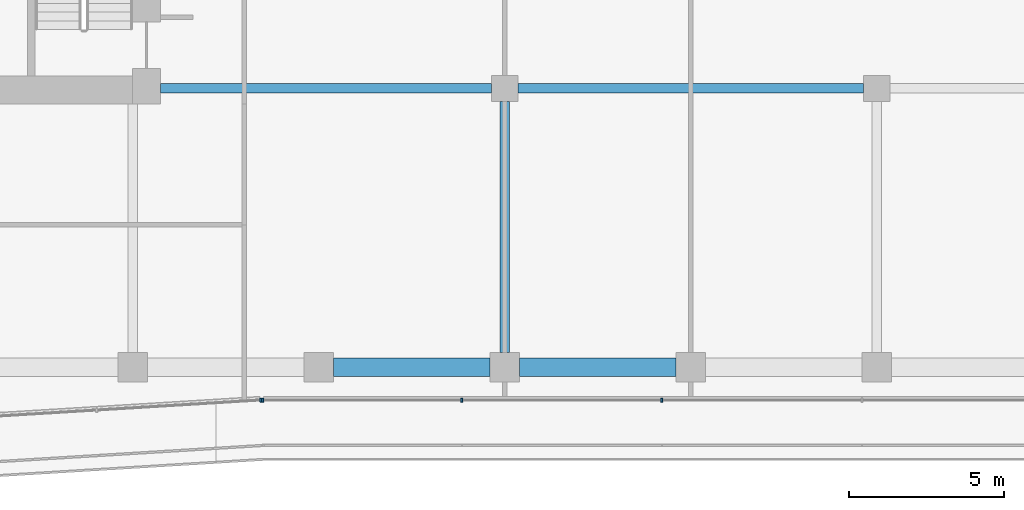
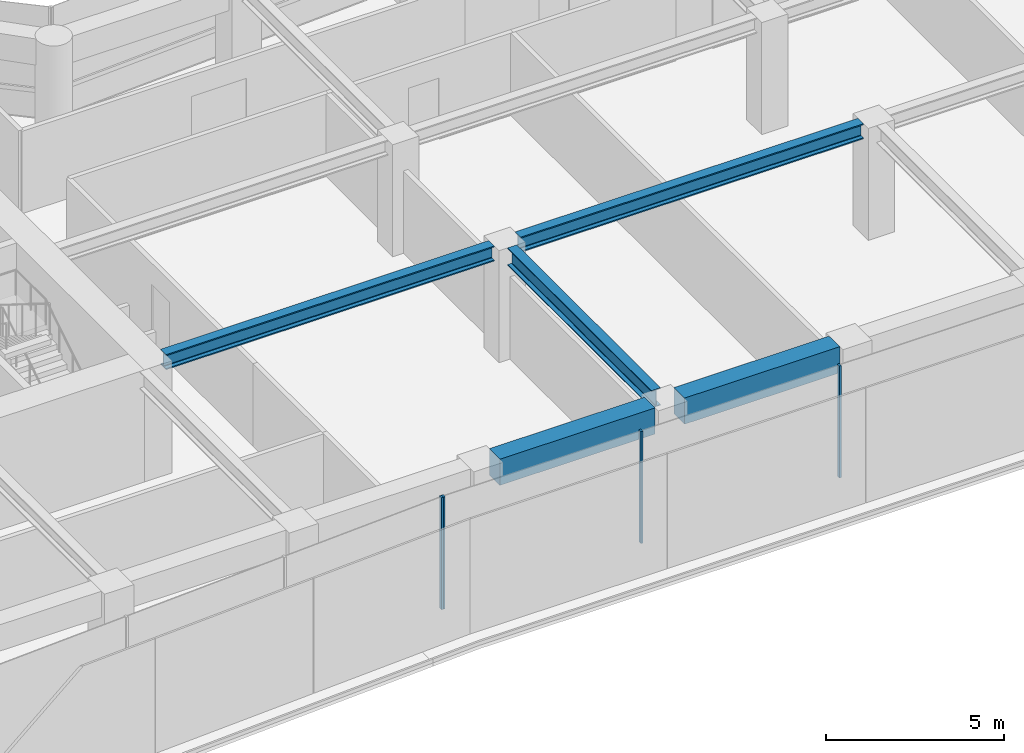
# One storey, part 6 of 29: 5 beams, 4 members, 2 elements without a shape of their own.
"""IFC4 building model written with IfcOpenShell, lengths in metres."""

from ifc_helpers import new_model, si_unit, direction, frame, origin, origin_2d, place, context, subcontext, project, spatial, rectangle, i_section, extrude, material, layer, layer_set, material_profile, profile_set, type_object, element, aggregate, save


model = new_model("IFC4")

# Units and contexts
model_context = context("Model", 3, precision=1e-05, world=origin(), true_north=direction((0.0, 1.0)))
body_context = subcontext(model_context, "Body", "Model", "MODEL_VIEW")
ifc_project = project(units=[si_unit("LENGTHUNIT", "METRE"), si_unit("AREAUNIT", "SQUARE_METRE"), si_unit("VOLUMEUNIT", "CUBIC_METRE"), si_unit("PLANEANGLEUNIT", "RADIAN"), si_unit("MASSUNIT", "GRAM", prefix="KILO")], contexts=[model_context])

# Site, building, storey
site_placement = place(None, origin())
site = spatial("IfcSite", under=ifc_project, at=site_placement, CompositionType="ELEMENT")
building_placement = place(site_placement, origin())
building = spatial("IfcBuilding", under=site, at=building_placement, Name="Welwitschia Terrace Campus", CompositionType="ELEMENT")
storey_placement = place(building_placement, frame((0.0, 0.0, 66.800048828125)))
storey = spatial("IfcBuildingStorey", under=building, at=storey_placement, Name="L15", CompositionType="ELEMENT", Elevation=66.800048828125)

# Beams
ifc_material_1 = material(Name="Steel S355", Category="steel")
ifc_material_profile_1 = material_profile(ifc_material_1, i_section(OverallWidth=0.305908203125, OverallDepth=0.52392578125, WebThickness=0.02099609375, FlangeThickness=0.0400390625, FilletRadius=0.027099609375, at=origin_2d()))
ifc_profile_set_1 = profile_set([ifc_material_profile_1], Name="Steel S355")
beam_type_1 = type_object("IfcBeamType", Name="Interior girder HE 500 M", PredefinedType="BEAM", material=ifc_profile_set_1)
beam_1_placement = place(storey_placement, frame((24.90087890625, 5.0, 3.587890625), z_axis=(1.0, 0.0, 0.0), x_axis=(0.0, 1.0, 0.0)))
element("IfcBeam", 1, at=beam_1_placement, inside=storey, type_object=beam_type_1, Name="Girder GB2", PredefinedType="BEAM", context=body_context, shape_type="SweptSolid", body=[
    extrude(i_section(OverallWidth=0.305908203125, OverallDepth=0.52392578125, WebThickness=0.02099609375, FlangeThickness=0.0400390625, FilletRadius=0.027099609375, at=origin_2d()), origin(), (0.0, 0.0, 1.0), 10.673583984375),
])
beam_2_placement = place(storey_placement, frame((36.425537109375, 5.0, 3.587890625), z_axis=(1.0, 0.0, 0.0), x_axis=(0.0, 1.0, 0.0)))
element("IfcBeam", 2, at=beam_2_placement, inside=storey, type_object=beam_type_1, Name="Girder GB2", PredefinedType="BEAM", context=body_context, shape_type="SweptSolid", body=[
    extrude(i_section(OverallWidth=0.305908203125, OverallDepth=0.52392578125, WebThickness=0.02099609375, FlangeThickness=0.0400390625, FilletRadius=0.027099609375, at=origin_2d()), origin(), (0.0, 0.0, 1.0), 11.14892578125),
])

# Curtain wall, member
ifc_material_2 = material(Name="Bronze anodised aluminium", Category="aluminium")
ifc_layer = layer(ifc_material_2, 0.1201171875)
ifc_layer_set = layer_set([ifc_layer], Name="Bronze anodised aluminium")
curtain_wall_type = type_object("IfcCurtainWallType", Name="Curtain wall CW2 tower 6000", PredefinedType="NOTDEFINED", material=ifc_layer_set)
curtain_wall_1_placement = place(storey_placement, origin())
curtain_wall_1 = element("IfcCurtainWall", 3, at=curtain_wall_1_placement, inside=storey, type_object=curtain_wall_type, Name="CW L15.2.0", PredefinedType="NOTDEFINED")
ifc_material_3 = material(Name="Bronze anodised aluminium", Category="aluminium")
ifc_material_profile_2 = material_profile(ifc_material_3, rectangle(XDim=0.1201171875, YDim=0.06005859375, at=origin_2d()))
ifc_profile_set_2 = profile_set([ifc_material_profile_2], Name="Bronze anodised aluminium")
member_type = type_object("IfcMemberType", Name="Mullion 60x120", PredefinedType="MULLION", material=ifc_profile_set_2)
member_1_placement = place(storey_placement, frame((28.135009765625, -5.059814453125, 0.0), z_axis=(0.0, 0.0, 1.0), x_axis=(-0.061048539535, 0.998134798422, 0.0)))
member_1 = element("IfcMember", 4, at=member_1_placement, type_object=member_type, Name="Mullion L15.2.0.4", PredefinedType="MULLION", context=body_context, shape_type="SweptSolid", body=[
    extrude(rectangle(XDim=0.1201171875, YDim=0.06005859375, at=origin_2d()), origin(), (0.0, 0.0, 1.0), 3.849853515625),
])
aggregate(curtain_wall_1, [member_1])

# Curtain wall, members
curtain_wall_2_placement = place(storey_placement, origin())
curtain_wall_2 = element("IfcCurtainWall", 5, at=curtain_wall_2_placement, inside=storey, type_object=curtain_wall_type, Name="CW L15.3.0", PredefinedType="NOTDEFINED")
member_2_placement = place(storey_placement, frame((28.195068359375, -5.05810546875, 0.0), z_axis=(0.0, 0.0, 1.0), x_axis=(0.0, 1.0, 0.0)))
member_2 = element("IfcMember", 6, at=member_2_placement, type_object=member_type, Name="Mullion L15.3.0.0", PredefinedType="MULLION", context=body_context, shape_type="SweptSolid", body=[
    extrude(rectangle(XDim=0.1201171875, YDim=0.06005859375, at=origin_2d()), origin(), (0.0, 0.0, 1.0), 3.849853515625),
])
member_3_placement = place(storey_placement, frame((34.61962890625, -5.05810546875, 0.0), z_axis=(0.0, 0.0, 1.0), x_axis=(0.0, 1.0, 0.0)))
member_3 = element("IfcMember", 7, at=member_3_placement, type_object=member_type, Name="Mullion L15.3.0.1", PredefinedType="MULLION", context=body_context, shape_type="SweptSolid", body=[
    extrude(rectangle(XDim=0.1201171875, YDim=0.06005859375, at=origin_2d()), origin(), (0.0, 0.0, 1.0), 3.849853515625),
])
member_4_placement = place(storey_placement, frame((41.07421875, -5.05810546875, 0.0), z_axis=(0.0, 0.0, 1.0), x_axis=(0.0, 1.0, 0.0)))
member_4 = element("IfcMember", 8, at=member_4_placement, type_object=member_type, Name="Mullion L15.3.0.2", PredefinedType="MULLION", context=body_context, shape_type="SweptSolid", body=[
    extrude(rectangle(XDim=0.1201171875, YDim=0.06005859375, at=origin_2d()), origin(), (0.0, 0.0, 1.0), 3.849853515625),
])
aggregate(curtain_wall_2, [member_2, member_3, member_4])

# Beams
ifc_material_4 = material(Name="Steel S355", Category="steel")
ifc_material_profile_3 = material_profile(ifc_material_4, i_section(OverallWidth=0.300048828125, OverallDepth=0.60009765625, WebThickness=0.015380859375, FlangeThickness=0.030029296875, FilletRadius=0.027099609375, at=origin_2d()))
ifc_profile_set_3 = profile_set([ifc_material_profile_3], Name="Steel S355")
beam_type_2 = type_object("IfcBeamType", Name="Primary beam HE 600 B", PredefinedType="BEAM", material=ifc_profile_set_3)
beam_3_placement = place(storey_placement, frame((36.0, -3.5244140625, 3.550048828125), z_axis=(0.0, 1.0, 0.0), x_axis=(-1.0, 0.0, 0.0)))
element("IfcBeam", 9, at=beam_3_placement, inside=storey, type_object=beam_type_2, Name="Primary beam PB2", PredefinedType="BEAM", context=body_context, shape_type="SweptSolid", body=[
    extrude(i_section(OverallWidth=0.300048828125, OverallDepth=0.60009765625, WebThickness=0.015380859375, FlangeThickness=0.030029296875, FilletRadius=0.027099609375, at=origin_2d()), origin(), (0.0, 0.0, 1.0), 8.098876953125),
])
ifc_material_5 = material(Name="Concrete C60/75", Category="concrete")
ifc_material_profile_4 = material_profile(ifc_material_5, rectangle(XDim=0.60009765625, YDim=0.89990234375, at=origin_2d()))
ifc_profile_set_4 = profile_set([ifc_material_profile_4], Name="Concrete C60/75")
beam_type_3 = type_object("IfcBeamType", Name="Ring spandrel 600x900", PredefinedType="SPANDREL", material=ifc_profile_set_4)
for number, where, z_axis, x_axis, name in (
    (10, (30.4755859375, -4.0, 3.39990234375), (1.0, 0.0, 0.0), (0.0, 1.0, 0.0), "Spandrel SP2"),
    (11, (36.4755859375, -4.0, 3.39990234375), (1.0, 0.0, 0.0), (0.0, 1.0, 0.0), "Spandrel SP2"),
):
    element("IfcBeam", number, at=place(storey_placement, frame(where, z_axis=z_axis, x_axis=x_axis)), inside=storey, type_object=beam_type_3, Name=name, PredefinedType="SPANDREL", context=body_context, shape_type="SweptSolid", body=[
        extrude(rectangle(XDim=0.60009765625, YDim=0.89990234375, at=origin_2d()), origin(), (0.0, 0.0, 1.0), 5.048828125),
    ])

save(model, "model.ifc")
